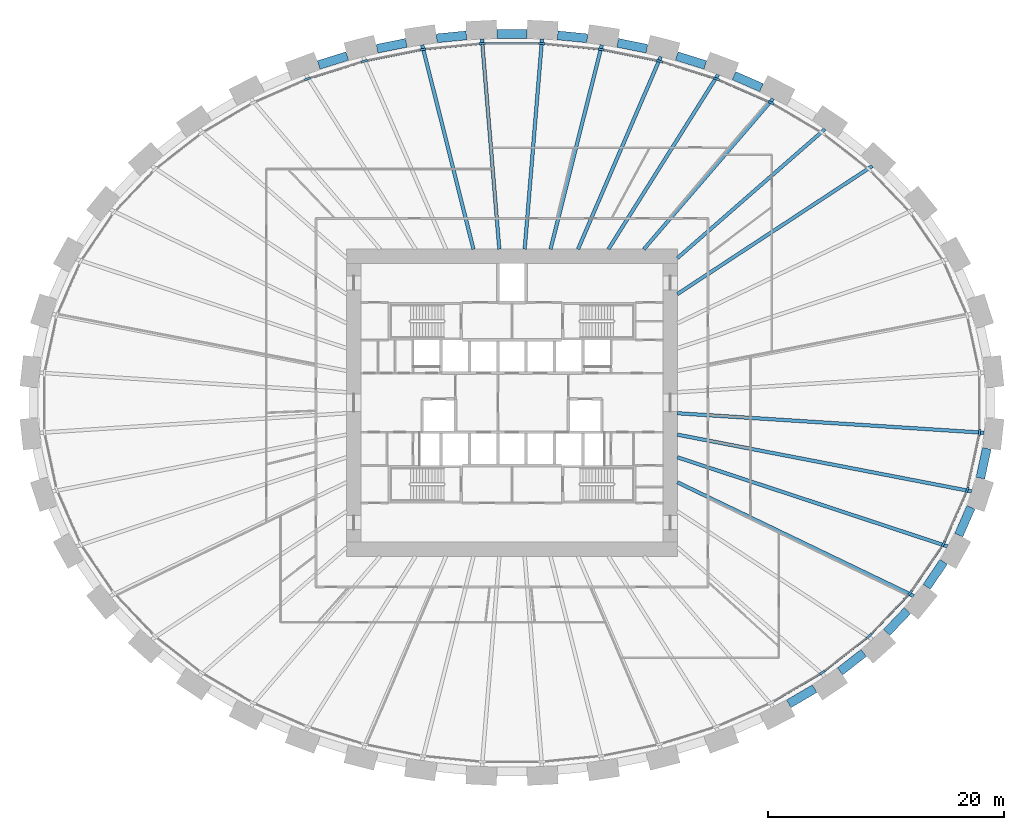
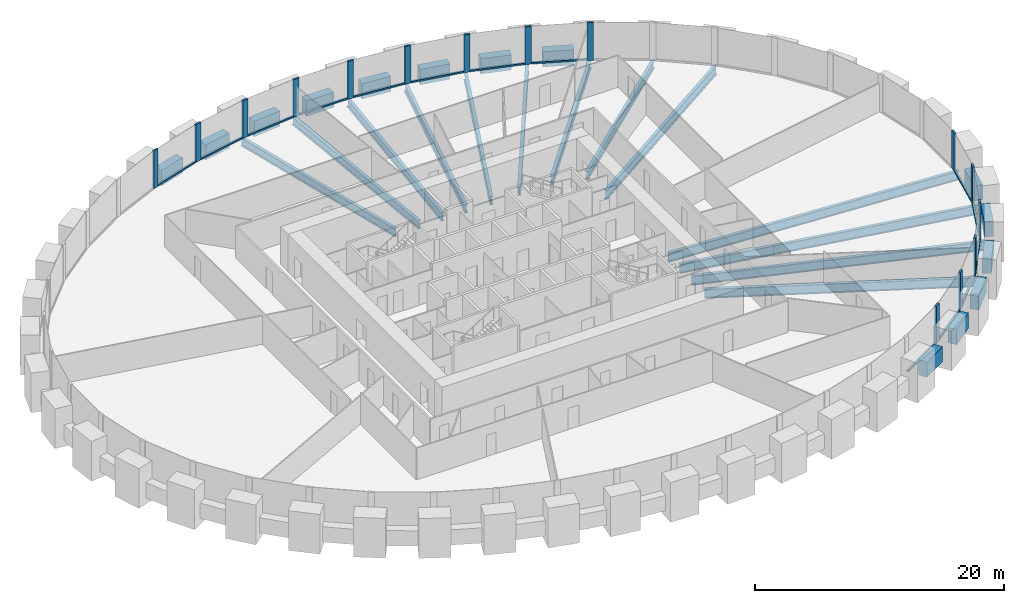
# One storey, part 3 of 11: 29 members, 27 beams, 1 element without a shape of its own.
"""IFC4 building model written with IfcOpenShell, lengths in metres."""

from ifc_helpers import new_model, si_unit, direction, frame, origin, origin_2d, place, context, subcontext, project, spatial, rectangle, i_section, extrude, source, transform, mapped, material, material_profile, profile_set, type_object, element, aggregate, save


model = new_model("IFC4")

# Units and contexts
model_context = context("Model", 3, precision=1e-05, world=origin(), true_north=direction((0.0, 1.0)))
body_context = subcontext(model_context, "Body", "Model", "MODEL_VIEW")
ifc_project = project(units=[si_unit("LENGTHUNIT", "METRE"), si_unit("AREAUNIT", "SQUARE_METRE"), si_unit("VOLUMEUNIT", "CUBIC_METRE"), si_unit("PLANEANGLEUNIT", "RADIAN"), si_unit("MASSUNIT", "GRAM", prefix="KILO")], contexts=[model_context])

# Site, building, storey
site_placement = place(None, origin())
site = spatial("IfcSite", under=ifc_project, at=site_placement, CompositionType="ELEMENT")
building_placement = place(site_placement, origin())
building = spatial("IfcBuilding", under=site, at=building_placement, Name="Embergate Tower", CompositionType="ELEMENT")
storey_placement = place(building_placement, frame((0.0, 0.0, 77.60009765625)))
storey = spatial("IfcBuildingStorey", under=building, at=storey_placement, Name="L15", CompositionType="ELEMENT", Elevation=77.60009765625)

# Beams
ifc_material_1 = material(Name="Concrete C70", Category="concrete")
ifc_material_profile_1 = material_profile(ifc_material_1, rectangle(XDim=0.75, YDim=1.5, at=origin_2d()), Name="RC 750x1500")
ifc_profile_set_1 = profile_set([ifc_material_profile_1], Name="Concrete C70")
beam_type_1 = type_object("IfcBeamType", Name="Spandrel beam RC 750x1500 C70", PredefinedType="BEAM", material=ifc_profile_set_1)
shared_shape_1 = source(origin(), body_context, "Body", "SweptSolid", [
    extrude(rectangle(XDim=0.75, YDim=1.5, at=origin_2d()), origin(), (0.0, 0.0, 1.0), 2.5498046875),
])
beam_1_placement = place(storey_placement, frame((31.72509765625, -19.4541015625, 0.0), z_axis=(0.689760361446, 0.724037736432, 0.0), x_axis=(-0.724037736432, 0.689760361446, 0.0)))
element("IfcBeam", 1, at=beam_1_placement, inside=storey, type_object=beam_type_1, Name="SPN-L15-39", PredefinedType="BEAM", context=body_context, shape_type="MappedRepresentation", body=[
    mapped(shared_shape_1, transform((0.0, 0.0, 0.0))),
])
shared_shape_2 = source(origin(), body_context, "Body", "SweptSolid", [
    extrude(rectangle(XDim=0.75, YDim=1.5, at=origin_2d()), origin(), (0.0, 0.0, 1.0), 2.5693359375),
])
beam_2_placement = place(storey_placement, frame((39.662109375, -6.383056640625, 0.0), z_axis=(0.210093623492, 0.977681271871, 0.0), x_axis=(-0.977681271871, 0.210093623492, 0.0)))
element("IfcBeam", 2, at=beam_2_placement, inside=storey, type_object=beam_type_1, Name="SPN-L15-42", PredefinedType="BEAM", context=body_context, shape_type="MappedRepresentation", body=[
    mapped(shared_shape_2, transform((0.0, 0.0, 0.0))),
])
shared_shape_3 = source(origin(), body_context, "Body", "SweptSolid", [
    extrude(rectangle(XDim=0.75, YDim=1.5, at=origin_2d()), origin(), (0.0, 0.0, 1.0), 2.56591796875),
])
beam_3_placement = place(storey_placement, frame((37.83203125, -11.20703125, 0.0), z_axis=(0.401427690069, 0.915890719271, 0.0), x_axis=(-0.915890719271, 0.401427690069, 0.0)))
element("IfcBeam", 3, at=beam_3_placement, inside=storey, type_object=beam_type_1, Name="SPN-L15-41", PredefinedType="BEAM", context=body_context, shape_type="MappedRepresentation", body=[
    mapped(shared_shape_3, transform((0.0, 0.0, 0.0))),
])
shared_shape_4 = source(origin(), body_context, "Body", "SweptSolid", [
    extrude(rectangle(XDim=0.75, YDim=1.5, at=origin_2d()), origin(), (0.0, 0.0, 1.0), 2.556640625),
])
beam_4_placement = place(storey_placement, frame((35.117919921875, -15.5859375, 0.0), z_axis=(0.562432772417, 0.826843018058, 0.0), x_axis=(-0.826843018058, 0.562432772417, 0.0)))
element("IfcBeam", 4, at=beam_4_placement, inside=storey, type_object=beam_type_1, Name="SPN-L15-40", PredefinedType="BEAM", context=body_context, shape_type="MappedRepresentation", body=[
    mapped(shared_shape_4, transform((0.0, 0.0, 0.0))),
])
shared_shape_5 = source(origin(), body_context, "Body", "SweptSolid", [
    extrude(rectangle(XDim=0.75, YDim=1.5, at=origin_2d()), origin(), (0.0, 0.0, 1.0), 2.542724609375),
])
beam_5_placement = place(storey_placement, frame((27.779052734375, -22.748046875, 0.0), z_axis=(0.788472504965, 0.615070003264, 0.0), x_axis=(-0.615070003264, 0.788472504965, 0.0)))
element("IfcBeam", 5, at=beam_5_placement, inside=storey, type_object=beam_type_1, Name="SPN-L15-38", PredefinedType="BEAM", context=body_context, shape_type="MappedRepresentation", body=[
    mapped(shared_shape_5, transform((0.0, 0.0, 0.0))),
])
shared_shape_6 = source(origin(), body_context, "Body", "SweptSolid", [
    extrude(rectangle(XDim=0.75, YDim=1.5, at=origin_2d()), origin(), (0.0, 0.0, 1.0), 2.537109375),
])
beam_6_placement = place(storey_placement, frame((23.44189453125, -25.49609375, 0.0), z_axis=(0.861993577549, 0.506919196978, 0.0), x_axis=(-0.506919196978, 0.861993577549, 0.0)))
element("IfcBeam", 6, at=beam_6_placement, inside=storey, type_object=beam_type_1, Name="SPN-L15-37", PredefinedType="BEAM", context=body_context, shape_type="MappedRepresentation", body=[
    mapped(shared_shape_6, transform((0.0, 0.0, 0.0))),
])
shared_shape_7 = source(origin(), body_context, "Body", "SweptSolid", [
    extrude(rectangle(XDim=0.75, YDim=1.5, at=origin_2d()), origin(), (0.0, 0.0, 1.0), 2.53466796875),
])
beam_7_placement = place(storey_placement, frame((21.1259765625, 26.677978515625, 0.0), z_axis=(-0.91612417153, 0.400894627474, 0.0), x_axis=(-0.400894627474, -0.91612417153, 0.0)))
element("IfcBeam", 7, at=beam_7_placement, inside=storey, type_object=beam_type_1, Name="SPN-L15-06", PredefinedType="BEAM", context=body_context, shape_type="MappedRepresentation", body=[
    mapped(shared_shape_7, transform((0.0, 0.0, 0.0))),
])
shared_shape_8 = source(origin(), body_context, "Body", "SweptSolid", [
    extrude(rectangle(XDim=0.75, YDim=1.5, at=origin_2d()), origin(), (0.0, 0.0, 1.0), 2.5322265625),
])
for number, where, z_axis, x_axis, name in (
    (8, (16.367919921875, 28.60302734375, 0.0), (-0.954890803875, 0.296957156294, 0.0), (-0.296957156294, -0.954890803875, 0.0), "SPN-L15-07"),
    (9, (-13.949951171875, 29.35498046875, 0.0), (-0.954890803875, -0.296957156294, 0.0), (0.296957156294, -0.954890803875, 0.0), "SPN-L15-13"),
):
    element("IfcBeam", number, at=place(storey_placement, frame(where, z_axis=z_axis, x_axis=x_axis)), inside=storey, type_object=beam_type_1, Name=name, PredefinedType="BEAM", context=body_context, shape_type="MappedRepresentation", body=[
        mapped(shared_shape_8, transform((0.0, 0.0, 0.0))),
    ])
shared_shape_9 = source(origin(), body_context, "Body", "SweptSolid", [
    extrude(rectangle(XDim=0.75, YDim=1.5, at=origin_2d()), origin(), (0.0, 0.0, 1.0), 2.5283203125),
])
for number, where, z_axis, x_axis, name in (
    (10, (11.426025390625, 29.97900390625, 0.0), (-0.980483995477, 0.19659891814, 0.0), (-0.19659891814, -0.980483995477, 0.0), "SPN-L15-08"),
    (11, (-8.947021484375, 30.47607421875, 0.0), (-0.980483995477, -0.19659891814, 0.0), (0.19659891814, -0.980483995477, 0.0), "SPN-L15-12"),
):
    element("IfcBeam", number, at=place(storey_placement, frame(where, z_axis=z_axis, x_axis=x_axis)), inside=storey, type_object=beam_type_1, Name=name, PredefinedType="BEAM", context=body_context, shape_type="MappedRepresentation", body=[
        mapped(shared_shape_9, transform((0.0, 0.0, 0.0))),
    ])
shared_shape_10 = source(origin(), body_context, "Body", "SweptSolid", [
    extrude(rectangle(XDim=0.75, YDim=1.5, at=origin_2d()), origin(), (0.0, 0.0, 1.0), 2.52685546875),
])
for number, where, z_axis, x_axis, name in (
    (12, (6.3759765625, 30.860107421875, 0.0), (-0.995218218031, 0.097676499217, 0.0), (-0.097676499217, -0.995218218031, 0.0), "SPN-L15-09"),
    (13, (-3.861083984375, 31.10693359375, 0.0), (-0.995218218031, -0.097676499217, 0.0), (0.097676499217, -0.995218218031, 0.0), "SPN-L15-11"),
):
    element("IfcBeam", number, at=place(storey_placement, frame(where, z_axis=z_axis, x_axis=x_axis)), inside=storey, type_object=beam_type_1, Name=name, PredefinedType="BEAM", context=body_context, shape_type="MappedRepresentation", body=[
        mapped(shared_shape_10, transform((0.0, 0.0, 0.0))),
    ])
shared_shape_11 = source(origin(), body_context, "Body", "SweptSolid", [
    extrude(rectangle(XDim=0.75, YDim=1.5, at=origin_2d()), origin(), (0.0, 0.0, 1.0), 2.52783203125),
])
beam_8_placement = place(storey_placement, frame((1.263916015625, 31.23388671875, 0.0), z_axis=(-1.0, 0.0, 0.0), x_axis=(0.0, -1.0, 0.0)))
element("IfcBeam", 14, at=beam_8_placement, inside=storey, type_object=beam_type_1, Name="SPN-L15-10", PredefinedType="BEAM", context=body_context, shape_type="MappedRepresentation", body=[
    mapped(shared_shape_11, transform((0.0, 0.0, 0.0))),
])
ifc_material_2 = material(Name="Steel Q355B", Category="steel")
ifc_material_profile_2 = material_profile(ifc_material_2, i_section(OverallWidth=0.300048828125, OverallDepth=0.89990234375, WebThickness=0.01611328125, FlangeThickness=0.028076171875, FilletRadius=0.028076171875, at=origin_2d()), Name="HN 900x300x16x28")
ifc_profile_set_2 = profile_set([ifc_material_profile_2], Name="Steel Q355 grade B")
beam_type_2 = type_object("IfcBeamType", Name="Radial girder HN 900x300x16x28", PredefinedType="BEAM", material=ifc_profile_set_2)
shared_shape_12 = source(origin(), body_context, "Body", "SweptSolid", [
    extrude(i_section(OverallWidth=0.300048828125, OverallDepth=0.89990234375, WebThickness=0.01611328125, FlangeThickness=0.028076171875, FilletRadius=0.028076171875, at=origin_2d()), origin(), (0.0, 0.0, 1.0), 26.034423828125),
])
beam_9_placement = place(storey_placement, frame((39.98193359375, -2.5400390625, -0.650146484375), z_axis=(-0.997986864702, 0.063420957753, 0.0), x_axis=(-0.063420957753, -0.997986864702, 0.0)))
element("IfcBeam", 15, at=beam_9_placement, inside=storey, type_object=beam_type_2, Name="GIR-L15-43", PredefinedType="BEAM", context=body_context, shape_type="MappedRepresentation", body=[
    mapped(shared_shape_12, transform((0.0, 0.0, 0.0))),
])
shared_shape_13 = source(origin(), body_context, "Body", "SweptSolid", [
    extrude(i_section(OverallWidth=0.300048828125, OverallDepth=0.89990234375, WebThickness=0.01611328125, FlangeThickness=0.028076171875, FilletRadius=0.028076171875, at=origin_2d()), origin(), (0.0, 0.0, 1.0), 25.373291015625),
])
beam_10_placement = place(storey_placement, frame((38.9140625, -7.507080078125, -0.650146484375), z_axis=(-0.981896748495, 0.189416935078, 0.0), x_axis=(-0.189416935078, -0.981896748495, 0.0)))
element("IfcBeam", 16, at=beam_10_placement, inside=storey, type_object=beam_type_2, Name="GIR-L15-42", PredefinedType="BEAM", context=body_context, shape_type="MappedRepresentation", body=[
    mapped(shared_shape_13, transform((0.0, 0.0, 0.0))),
])
shared_shape_14 = source(origin(), body_context, "Body", "SweptSolid", [
    extrude(i_section(OverallWidth=0.300048828125, OverallDepth=0.89990234375, WebThickness=0.01611328125, FlangeThickness=0.028076171875, FilletRadius=0.028076171875, at=origin_2d()), origin(), (0.0, 0.0, 1.0), 24.0849609375),
])
beam_11_placement = place(storey_placement, frame((36.873046875, -12.160888671875, -0.650146484375), z_axis=(-0.949680038857, 0.313221684748, 0.0), x_axis=(-0.313221684748, -0.949680038857, 0.0)))
element("IfcBeam", 17, at=beam_11_placement, inside=storey, type_object=beam_type_2, Name="GIR-L15-41", PredefinedType="BEAM", context=body_context, shape_type="MappedRepresentation", body=[
    mapped(shared_shape_14, transform((0.0, 0.0, 0.0))),
])
shared_shape_15 = source(origin(), body_context, "Body", "SweptSolid", [
    extrude(i_section(OverallWidth=0.300048828125, OverallDepth=0.89990234375, WebThickness=0.01611328125, FlangeThickness=0.028076171875, FilletRadius=0.028076171875, at=origin_2d()), origin(), (0.0, 0.0, 1.0), 22.210693359375),
])
beam_12_placement = place(storey_placement, frame((34.014892578125, -16.364013671875, -0.650146484375), z_axis=(-0.90114054222, 0.433527073165, 0.0), x_axis=(-0.433527073165, -0.90114054222, 0.0)))
element("IfcBeam", 18, at=beam_12_placement, inside=storey, type_object=beam_type_2, Name="GIR-L15-40", PredefinedType="BEAM", context=body_context, shape_type="MappedRepresentation", body=[
    mapped(shared_shape_15, transform((0.0, 0.0, 0.0))),
])
shared_shape_16 = source(origin(), body_context, "Body", "SweptSolid", [
    extrude(i_section(OverallWidth=0.300048828125, OverallDepth=0.89990234375, WebThickness=0.01611328125, FlangeThickness=0.028076171875, FilletRadius=0.028076171875, at=origin_2d()), origin(), (0.0, 0.0, 1.0), 19.75),
])
beam_13_placement = place(storey_placement, frame((30.506103515625, 20.04296875, -0.650146484375), z_axis=(-0.835749566876, -0.549110791614, 0.0), x_axis=(0.549110791614, -0.835749566876, 0.0)))
element("IfcBeam", 19, at=beam_13_placement, inside=storey, type_object=beam_type_2, Name="GIR-L15-04", PredefinedType="BEAM", context=body_context, shape_type="MappedRepresentation", body=[
    mapped(shared_shape_16, transform((0.0, 0.0, 0.0))),
])
ifc_material_profile_3 = material_profile(ifc_material_2, i_section(OverallWidth=0.300048828125, OverallDepth=0.800048828125, WebThickness=0.013916015625, FlangeThickness=0.02587890625, FilletRadius=0.028076171875, at=origin_2d()), Name="HN 800x300x14x26")
ifc_profile_set_3 = profile_set([ifc_material_profile_3], Name="Steel Q355 grade B")
beam_type_3 = type_object("IfcBeamType", Name="Radial girder HN 800x300x14x26", PredefinedType="BEAM", material=ifc_profile_set_3)
shared_shape_17 = source(origin(), body_context, "Body", "SweptSolid", [
    extrude(i_section(OverallWidth=0.300048828125, OverallDepth=0.800048828125, WebThickness=0.013916015625, FlangeThickness=0.02587890625, FilletRadius=0.028076171875, at=origin_2d()), origin(), (0.0, 0.0, 1.0), 16.60205078125),
])
beam_14_placement = place(storey_placement, frame((26.4970703125, 23.172119140625, -0.60009765625), z_axis=(-0.752747930404, -0.65830885857, 0.0), x_axis=(0.65830885857, -0.752747930404, 0.0)))
element("IfcBeam", 20, at=beam_14_placement, inside=storey, type_object=beam_type_3, Name="GIR-L15-05", PredefinedType="BEAM", context=body_context, shape_type="MappedRepresentation", body=[
    mapped(shared_shape_17, transform((0.0, 0.0, 0.0))),
])
shared_shape_18 = source(origin(), body_context, "Body", "SweptSolid", [
    extrude(i_section(OverallWidth=0.300048828125, OverallDepth=0.800048828125, WebThickness=0.013916015625, FlangeThickness=0.02587890625, FilletRadius=0.028076171875, at=origin_2d()), origin(), (0.0, 0.0, 1.0), 16.805908203125),
])
beam_15_placement = place(storey_placement, frame((22.113037109375, 25.75, -0.60009765625), z_axis=(-0.651490955051, -0.758656401467, 0.0), x_axis=(0.758656401467, -0.651490955051, 0.0)))
element("IfcBeam", 21, at=beam_15_placement, inside=storey, type_object=beam_type_3, Name="GIR-L15-06", PredefinedType="BEAM", context=body_context, shape_type="MappedRepresentation", body=[
    mapped(shared_shape_18, transform((0.0, 0.0, 0.0))),
])
shared_shape_19 = source(origin(), body_context, "Body", "SweptSolid", [
    extrude(i_section(OverallWidth=0.300048828125, OverallDepth=0.800048828125, WebThickness=0.013916015625, FlangeThickness=0.02587890625, FilletRadius=0.028076171875, at=origin_2d()), origin(), (0.0, 0.0, 1.0), 17.463623046875),
])
beam_16_placement = place(storey_placement, frame((17.451904296875, 27.7890625, -0.60009765625), z_axis=(-0.531837384954, -0.846846500828, 0.0), x_axis=(0.846846500828, -0.531837384954, 0.0)))
element("IfcBeam", 22, at=beam_16_placement, inside=storey, type_object=beam_type_3, Name="GIR-L15-07", PredefinedType="BEAM", context=body_context, shape_type="MappedRepresentation", body=[
    mapped(shared_shape_19, transform((0.0, 0.0, 0.0))),
])
shared_shape_20 = source(origin(), body_context, "Body", "SweptSolid", [
    extrude(i_section(OverallWidth=0.300048828125, OverallDepth=0.800048828125, WebThickness=0.013916015625, FlangeThickness=0.02587890625, FilletRadius=0.028076171875, at=origin_2d()), origin(), (0.0, 0.0, 1.0), 17.7431640625),
])
beam_17_placement = place(storey_placement, frame((12.594970703125, 29.301025390625, -0.60009765625), z_axis=(-0.394915454917, -0.918717466617, 0.0), x_axis=(0.918717466617, -0.394915454917, 0.0)))
element("IfcBeam", 23, at=beam_17_placement, inside=storey, type_object=beam_type_3, Name="GIR-L15-08", PredefinedType="BEAM", context=body_context, shape_type="MappedRepresentation", body=[
    mapped(shared_shape_20, transform((0.0, 0.0, 0.0))),
])
shared_shape_21 = source(origin(), body_context, "Body", "SweptSolid", [
    extrude(i_section(OverallWidth=0.300048828125, OverallDepth=0.800048828125, WebThickness=0.013916015625, FlangeThickness=0.02587890625, FilletRadius=0.028076171875, at=origin_2d()), origin(), (0.0, 0.0, 1.0), 17.837890625),
])
for number, where, z_axis, x_axis, name in (
    (24, (7.60693359375, 30.301025390625, -0.60009765625), (-0.243472648056, -0.969907763475, 0.0), (0.969907763475, -0.243472648056, 0.0), "GIR-L15-09"),
    (25, (-7.60693359375, 30.301025390625, -0.60009765625), (0.243472648056, -0.969907763475, 0.0), (0.969907763475, 0.243472648056, 0.0), "GIR-L15-12"),
):
    element("IfcBeam", number, at=place(storey_placement, frame(where, z_axis=z_axis, x_axis=x_axis)), inside=storey, type_object=beam_type_3, Name=name, PredefinedType="BEAM", context=body_context, shape_type="MappedRepresentation", body=[
        mapped(shared_shape_21, transform((0.0, 0.0, 0.0))),
    ])
shared_shape_22 = source(origin(), body_context, "Body", "SweptSolid", [
    extrude(i_section(OverallWidth=0.300048828125, OverallDepth=0.800048828125, WebThickness=0.013916015625, FlangeThickness=0.02587890625, FilletRadius=0.028076171875, at=origin_2d()), origin(), (0.0, 0.0, 1.0), 17.859619140625),
])
for number, where, z_axis, x_axis, name in (
    (26, (2.5439453125, 30.799072265625, -0.60009765625), (-0.082306714571, -0.996607046301, 0.0), (0.996607046301, -0.082306714571, 0.0), "GIR-L15-10"),
    (27, (-2.5439453125, 30.799072265625, -0.60009765625), (0.082306714571, -0.996607046301, 0.0), (0.996607046301, 0.082306714571, 0.0), "GIR-L15-11"),
):
    element("IfcBeam", number, at=place(storey_placement, frame(where, z_axis=z_axis, x_axis=x_axis)), inside=storey, type_object=beam_type_3, Name=name, PredefinedType="BEAM", context=body_context, shape_type="MappedRepresentation", body=[
        mapped(shared_shape_22, transform((0.0, 0.0, 0.0))),
    ])

# Curtain wall, members
ifc_material_3 = material(Name="Aluminium and glass", Category="aluminium")
curtain_wall_type = type_object("IfcCurtainWallType", Name="Recessed office glazing", PredefinedType="NOTDEFINED", material=ifc_material_3)
curtain_wall_placement = place(storey_placement, origin())
curtain_wall = element("IfcCurtainWall", 28, at=curtain_wall_placement, inside=storey, type_object=curtain_wall_type, Name="Recessed office glazing ring", ObjectType="RECESSED OFFICE GLAZING", PredefinedType="USERDEFINED")
ifc_material_4 = material(Name="Aluminium, thermally broken", Category="aluminium")
ifc_material_profile_4 = material_profile(ifc_material_4, rectangle(XDim=0.179931640625, YDim=0.52001953125, at=origin_2d()), Name="AL 520x180")
ifc_profile_set_4 = profile_set([ifc_material_profile_4], Name="Aluminium, thermally broken")
member_type_1 = type_object("IfcMemberType", Name="Office mullion", PredefinedType="MULLION", material=ifc_profile_set_4)
shared_shape_23 = source(origin(), body_context, "Body", "SweptSolid", [
    extrude(rectangle(XDim=0.179931640625, YDim=0.52001953125, at=origin_2d()), origin(), (0.0, 0.0, 1.0), 3.699951171875),
])
member_1_placement = place(storey_placement, frame((21.935791015625, 25.402587890625, 0.0), z_axis=(0.0, 0.0, 1.0), x_axis=(-0.454516044429, -0.890738550506, 0.0)))
member_1 = element("IfcMember", 29, at=member_1_placement, type_object=member_type_1, Name="CW mullion 7", PredefinedType="MULLION", context=body_context, shape_type="MappedRepresentation", body=[
    mapped(shared_shape_23, transform((0.0, 0.0, 0.0))),
])
member_2_placement = place(storey_placement, frame((17.31591796875, 27.422607421875, 0.0), z_axis=(0.0, 0.0, 1.0), x_axis=(-0.349507588628, -0.936933533124, 0.0)))
member_2 = element("IfcMember", 30, at=member_2_placement, type_object=member_type_1, Name="CW mullion 8", PredefinedType="MULLION", context=body_context, shape_type="MappedRepresentation", body=[
    mapped(shared_shape_23, transform((0.0, 0.0, 0.0))),
])
member_3_placement = place(storey_placement, frame((12.498779296875, 28.9228515625, 0.0), z_axis=(0.0, 0.0, 1.0), x_axis=(-0.247315263593, -0.968935065107, 0.0)))
member_3 = element("IfcMember", 31, at=member_3_placement, type_object=member_type_1, Name="CW mullion 9", PredefinedType="MULLION", context=body_context, shape_type="MappedRepresentation", body=[
    mapped(shared_shape_23, transform((0.0, 0.0, 0.0))),
])
member_4_placement = place(storey_placement, frame((7.549560546875, 29.915283203125, 0.0), z_axis=(0.0, 0.0, 1.0), x_axis=(-0.14741410908, -0.98907486089, 0.0)))
member_4 = element("IfcMember", 32, at=member_4_placement, type_object=member_type_1, Name="CW mullion 10", PredefinedType="MULLION", context=body_context, shape_type="MappedRepresentation", body=[
    mapped(shared_shape_23, transform((0.0, 0.0, 0.0))),
])
member_5_placement = place(storey_placement, frame((2.524658203125, 30.409423828125, 0.0), z_axis=(0.0, 0.0, 1.0), x_axis=(-0.048971796621, -0.998800161762, 0.0)))
member_5 = element("IfcMember", 33, at=member_5_placement, type_object=member_type_1, Name="CW mullion 11", PredefinedType="MULLION", context=body_context, shape_type="MappedRepresentation", body=[
    mapped(shared_shape_23, transform((0.0, 0.0, 0.0))),
])
member_6_placement = place(storey_placement, frame((-2.524658203125, 30.409423828125, 0.0), z_axis=(0.0, 0.0, 1.0), x_axis=(0.048971796621, -0.998800161762, 0.0)))
member_6 = element("IfcMember", 34, at=member_6_placement, type_object=member_type_1, Name="CW mullion 12", PredefinedType="MULLION", context=body_context, shape_type="MappedRepresentation", body=[
    mapped(shared_shape_23, transform((0.0, 0.0, 0.0))),
])
member_7_placement = place(storey_placement, frame((-7.549560546875, 29.915283203125, 0.0), z_axis=(0.0, 0.0, 1.0), x_axis=(0.14741410908, -0.98907486089, 0.0)))
member_7 = element("IfcMember", 35, at=member_7_placement, type_object=member_type_1, Name="CW mullion 13", PredefinedType="MULLION", context=body_context, shape_type="MappedRepresentation", body=[
    mapped(shared_shape_23, transform((0.0, 0.0, 0.0))),
])
member_8_placement = place(storey_placement, frame((-12.498779296875, 28.9228515625, 0.0), z_axis=(0.0, 0.0, 1.0), x_axis=(0.247315263593, -0.968935065107, 0.0)))
member_8 = element("IfcMember", 36, at=member_8_placement, type_object=member_type_1, Name="CW mullion 14", PredefinedType="MULLION", context=body_context, shape_type="MappedRepresentation", body=[
    mapped(shared_shape_23, transform((0.0, 0.0, 0.0))),
])
member_9_placement = place(storey_placement, frame((-17.31591796875, 27.422607421875, 0.0), z_axis=(0.0, 0.0, 1.0), x_axis=(0.349507588628, -0.936933533124, 0.0)))
member_9 = element("IfcMember", 37, at=member_9_placement, type_object=member_type_1, Name="CW mullion 15", PredefinedType="MULLION", context=body_context, shape_type="MappedRepresentation", body=[
    mapped(shared_shape_23, transform((0.0, 0.0, 0.0))),
])
member_10_placement = place(storey_placement, frame((26.278564453125, -22.849365234375, 0.0), z_axis=(0.0, 0.0, 1.0), x_axis=(-0.562223392005, 0.826985403428, 0.0)))
member_10 = element("IfcMember", 38, at=member_10_placement, type_object=member_type_1, Name="CW mullion 39", PredefinedType="MULLION", context=body_context, shape_type="MappedRepresentation", body=[
    mapped(shared_shape_23, transform((0.0, 0.0, 0.0))),
])
member_11_placement = place(storey_placement, frame((30.2451171875, -19.75341796875, 0.0), z_axis=(0.0, 0.0, 1.0), x_axis=(-0.671234296295, 0.74124524921, 0.0)))
member_11 = element("IfcMember", 39, at=member_11_placement, type_object=member_type_1, Name="CW mullion 40", PredefinedType="MULLION", context=body_context, shape_type="MappedRepresentation", body=[
    mapped(shared_shape_23, transform((0.0, 0.0, 0.0))),
])
member_12_placement = place(storey_placement, frame((33.712158203125, -16.11767578125, 0.0), z_axis=(0.0, 0.0, 1.0), x_axis=(-0.777880241921, 0.628412547002, 0.0)))
member_12 = element("IfcMember", 40, at=member_12_placement, type_object=member_type_1, Name="CW mullion 41", PredefinedType="MULLION", context=body_context, shape_type="MappedRepresentation", body=[
    mapped(shared_shape_23, transform((0.0, 0.0, 0.0))),
])
member_13_placement = place(storey_placement, frame((36.532470703125, -11.970458984375, 0.0), z_axis=(0.0, 0.0, 1.0), x_axis=(-0.875007810402, 0.484108801547, 0.0)))
member_13 = element("IfcMember", 41, at=member_13_placement, type_object=member_type_1, Name="CW mullion 42", PredefinedType="MULLION", context=body_context, shape_type="MappedRepresentation", body=[
    mapped(shared_shape_23, transform((0.0, 0.0, 0.0))),
])
member_14_placement = place(storey_placement, frame((38.543212890625, -7.3857421875, 0.0), z_axis=(0.0, 0.0, 1.0), x_axis=(-0.951501019702, 0.307645590748, 0.0)))
member_14 = element("IfcMember", 42, at=member_14_placement, type_object=member_type_1, Name="CW mullion 43", PredefinedType="MULLION", context=body_context, shape_type="MappedRepresentation", body=[
    mapped(shared_shape_23, transform((0.0, 0.0, 0.0))),
])
member_15_placement = place(storey_placement, frame((39.59521484375, -2.498291015625, 0.0), z_axis=(0.0, 0.0, 1.0), x_axis=(-0.994385324123, 0.105819786286, 0.0)))
member_15 = element("IfcMember", 43, at=member_15_placement, type_object=member_type_1, Name="CW mullion 44", PredefinedType="MULLION", context=body_context, shape_type="MappedRepresentation", body=[
    mapped(shared_shape_23, transform((0.0, 0.0, 0.0))),
])
ifc_material_profile_5 = material_profile(ifc_material_4, rectangle(XDim=0.179931640625, YDim=0.14990234375, at=origin_2d()), Name="AL 150x180")
ifc_profile_set_5 = profile_set([ifc_material_profile_5], Name="Aluminium, thermally broken")
member_type_2 = type_object("IfcMemberType", Name="Office sill transom", PredefinedType="USERDEFINED", material=ifc_profile_set_5)
shared_shape_24 = source(origin(), body_context, "Body", "SweptSolid", [
    extrude(rectangle(XDim=0.179931640625, YDim=0.14990234375, at=origin_2d()), origin(), (0.0, 0.0, 1.0), 4.50390625),
])
member_16_placement = place(storey_placement, frame((30.42431640625, -19.565185546875, 0.074951171875), z_axis=(0.69015852771, 0.723658211194, 0.0), x_axis=(-0.723658211194, 0.69015852771, 0.0)))
member_16 = element("IfcMember", 44, at=member_16_placement, type_object=member_type_2, Name="CW transom 40.1", ObjectType="TRANSOM", PredefinedType="USERDEFINED", context=body_context, shape_type="MappedRepresentation", body=[
    mapped(shared_shape_24, transform((0.0, 0.0, 0.0))),
])
shared_shape_25 = source(origin(), body_context, "Body", "SweptSolid", [
    extrude(rectangle(XDim=0.179931640625, YDim=0.14990234375, at=origin_2d()), origin(), (0.0, 0.0, 1.0), 4.4794921875),
])
member_17_placement = place(storey_placement, frame((38.597900390625, -7.131591796875, 0.074951171875), z_axis=(0.210381382065, 0.977619391216, 0.0), x_axis=(-0.977619391216, 0.210381382065, 0.0)))
member_17 = element("IfcMember", 45, at=member_17_placement, type_object=member_type_2, Name="CW transom 43.1", ObjectType="TRANSOM", PredefinedType="USERDEFINED", context=body_context, shape_type="MappedRepresentation", body=[
    mapped(shared_shape_25, transform((0.0, 0.0, 0.0))),
])
shared_shape_26 = source(origin(), body_context, "Body", "SweptSolid", [
    extrude(rectangle(XDim=0.179931640625, YDim=0.14990234375, at=origin_2d()), origin(), (0.0, 0.0, 1.0), 4.486328125),
])
member_18_placement = place(storey_placement, frame((36.636962890625, -11.732421875, 0.074951171875), z_axis=(0.401655089719, 0.915791018138, 0.0), x_axis=(-0.915791018138, 0.401655089719, 0.0)))
member_18 = element("IfcMember", 46, at=member_18_placement, type_object=member_type_2, Name="CW transom 42.1", ObjectType="TRANSOM", PredefinedType="USERDEFINED", context=body_context, shape_type="MappedRepresentation", body=[
    mapped(shared_shape_26, transform((0.0, 0.0, 0.0))),
])
shared_shape_27 = source(origin(), body_context, "Body", "SweptSolid", [
    extrude(rectangle(XDim=0.179931640625, YDim=0.14990234375, at=origin_2d()), origin(), (0.0, 0.0, 1.0), 4.4951171875),
])
member_19_placement = place(storey_placement, frame((33.8583984375, -15.902587890625, 0.074951171875), z_axis=(0.562347159837, 0.826901246718, 0.0), x_axis=(-0.826901246718, 0.562347159837, 0.0)))
member_19 = element("IfcMember", 47, at=member_19_placement, type_object=member_type_2, Name="CW transom 41.1", ObjectType="TRANSOM", PredefinedType="USERDEFINED", context=body_context, shape_type="MappedRepresentation", body=[
    mapped(shared_shape_27, transform((0.0, 0.0, 0.0))),
])
shared_shape_28 = source(origin(), body_context, "Body", "SweptSolid", [
    extrude(rectangle(XDim=0.179931640625, YDim=0.14990234375, at=origin_2d()), origin(), (0.0, 0.0, 1.0), 4.511474609375),
])
member_20_placement = place(storey_placement, frame((26.4833984375, -22.689208984375, 0.074951171875), z_axis=(0.788345870827, 0.615232304052, 0.0), x_axis=(-0.615232304052, 0.788345870827, 0.0)))
member_20 = element("IfcMember", 48, at=member_20_placement, type_object=member_type_2, Name="CW transom 39.1", ObjectType="TRANSOM", PredefinedType="USERDEFINED", context=body_context, shape_type="MappedRepresentation", body=[
    mapped(shared_shape_28, transform((0.0, 0.0, 0.0))),
])
shared_shape_29 = source(origin(), body_context, "Body", "SweptSolid", [
    extrude(rectangle(XDim=0.179931640625, YDim=0.14990234375, at=origin_2d()), origin(), (0.0, 0.0, 1.0), 4.517578125),
])
member_21_placement = place(storey_placement, frame((22.159912109375, -25.270751953125, 0.074951171875), z_axis=(0.862064774491, 0.506798110279, 0.0), x_axis=(-0.506798110279, 0.862064774491, 0.0)))
member_21 = element("IfcMember", 49, at=member_21_placement, type_object=member_type_2, Name="CW transom 38.1", ObjectType="TRANSOM", PredefinedType="USERDEFINED", context=body_context, shape_type="MappedRepresentation", body=[
    mapped(shared_shape_29, transform((0.0, 0.0, 0.0))),
])
shared_shape_30 = source(origin(), body_context, "Body", "SweptSolid", [
    extrude(rectangle(XDim=0.179931640625, YDim=0.14990234375, at=origin_2d()), origin(), (0.0, 0.0, 1.0), 4.522216796875),
])
member_22_placement = place(storey_placement, frame((21.697509765625, 25.506591796875, 0.074951171875), z_axis=(-0.916232902024, 0.400646064812, 0.0), x_axis=(-0.400646064812, -0.916232902024, 0.0)))
member_22 = element("IfcMember", 50, at=member_22_placement, type_object=member_type_2, Name="CW transom 7.1", ObjectType="TRANSOM", PredefinedType="USERDEFINED", context=body_context, shape_type="MappedRepresentation", body=[
    mapped(shared_shape_30, transform((0.0, 0.0, 0.0))),
])
shared_shape_31 = source(origin(), body_context, "Body", "SweptSolid", [
    extrude(rectangle(XDim=0.179931640625, YDim=0.14990234375, at=origin_2d()), origin(), (0.0, 0.0, 1.0), 4.525390625),
])
member_23_placement = place(storey_placement, frame((17.067626953125, 27.5, 0.074951171875), z_axis=(-0.954780911234, 0.297310295051, 0.0), x_axis=(-0.297310295051, -0.954780911234, 0.0)))
member_23 = element("IfcMember", 51, at=member_23_placement, type_object=member_type_2, Name="CW transom 8.1", ObjectType="TRANSOM", PredefinedType="USERDEFINED", context=body_context, shape_type="MappedRepresentation", body=[
    mapped(shared_shape_31, transform((0.0, 0.0, 0.0))),
])
member_24_placement = place(storey_placement, frame((-12.746826171875, 28.845458984375, 0.074951171875), z_axis=(-0.954780911234, -0.297310295051, 0.0), x_axis=(0.297310295051, -0.954780911234, 0.0)))
member_24 = element("IfcMember", 52, at=member_24_placement, type_object=member_type_2, Name="CW transom 14.1", ObjectType="TRANSOM", PredefinedType="USERDEFINED", context=body_context, shape_type="MappedRepresentation", body=[
    mapped(shared_shape_31, transform((0.0, 0.0, 0.0))),
])
shared_shape_32 = source(origin(), body_context, "Body", "SweptSolid", [
    extrude(rectangle(XDim=0.179931640625, YDim=0.14990234375, at=origin_2d()), origin(), (0.0, 0.0, 1.0), 4.52783203125),
])
member_25_placement = place(storey_placement, frame((12.243896484375, 28.97412109375, 0.074951171875), z_axis=(-0.980485162379, 0.19659309844, 0.0), x_axis=(-0.19659309844, -0.980485162379, 0.0)))
member_25 = element("IfcMember", 53, at=member_25_placement, type_object=member_type_2, Name="CW transom 9.1", ObjectType="TRANSOM", PredefinedType="USERDEFINED", context=body_context, shape_type="MappedRepresentation", body=[
    mapped(shared_shape_32, transform((0.0, 0.0, 0.0))),
])
member_26_placement = place(storey_placement, frame((-7.804443359375, 29.8642578125, 0.074951171875), z_axis=(-0.980485162379, -0.19659309844, 0.0), x_axis=(0.19659309844, -0.980485162379, 0.0)))
member_26 = element("IfcMember", 54, at=member_26_placement, type_object=member_type_2, Name="CW transom 13.1", ObjectType="TRANSOM", PredefinedType="USERDEFINED", context=body_context, shape_type="MappedRepresentation", body=[
    mapped(shared_shape_32, transform((0.0, 0.0, 0.0))),
])
shared_shape_33 = source(origin(), body_context, "Body", "SweptSolid", [
    extrude(rectangle(XDim=0.179931640625, YDim=0.14990234375, at=origin_2d()), origin(), (0.0, 0.0, 1.0), 4.529052734375),
])
member_27_placement = place(storey_placement, frame((7.290771484375, 29.94091796875, 0.074951171875), z_axis=(-0.995207563955, 0.09778499193, 0.0), x_axis=(-0.09778499193, -0.995207563955, 0.0)))
member_27 = element("IfcMember", 55, at=member_27_placement, type_object=member_type_2, Name="CW transom 10.1", ObjectType="TRANSOM", PredefinedType="USERDEFINED", context=body_context, shape_type="MappedRepresentation", body=[
    mapped(shared_shape_33, transform((0.0, 0.0, 0.0))),
])
member_28_placement = place(storey_placement, frame((-2.783447265625, 30.3837890625, 0.074951171875), z_axis=(-0.995207563955, -0.09778499193, 0.0), x_axis=(0.09778499193, -0.995207563955, 0.0)))
member_28 = element("IfcMember", 56, at=member_28_placement, type_object=member_type_2, Name="CW transom 12.1", ObjectType="TRANSOM", PredefinedType="USERDEFINED", context=body_context, shape_type="MappedRepresentation", body=[
    mapped(shared_shape_33, transform((0.0, 0.0, 0.0))),
])
shared_shape_34 = source(origin(), body_context, "Body", "SweptSolid", [
    extrude(rectangle(XDim=0.179931640625, YDim=0.14990234375, at=origin_2d()), origin(), (0.0, 0.0, 1.0), 4.529296875),
])
member_29_placement = place(storey_placement, frame((2.2646484375, 30.409423828125, 0.074951171875), z_axis=(-1.0, 0.0, 0.0), x_axis=(0.0, -1.0, 0.0)))
member_29 = element("IfcMember", 57, at=member_29_placement, type_object=member_type_2, Name="CW transom 11.1", ObjectType="TRANSOM", PredefinedType="USERDEFINED", context=body_context, shape_type="MappedRepresentation", body=[
    mapped(shared_shape_34, transform((0.0, 0.0, 0.0))),
])
aggregate(curtain_wall, [member_1, member_2, member_3, member_4, member_5, member_6, member_7, member_8, member_9, member_10, member_11, member_12, member_13, member_14, member_15, member_22, member_23, member_25, member_27, member_29, member_28, member_26, member_24, member_21, member_20, member_16, member_19, member_18, member_17])

save(model, "model.ifc")
